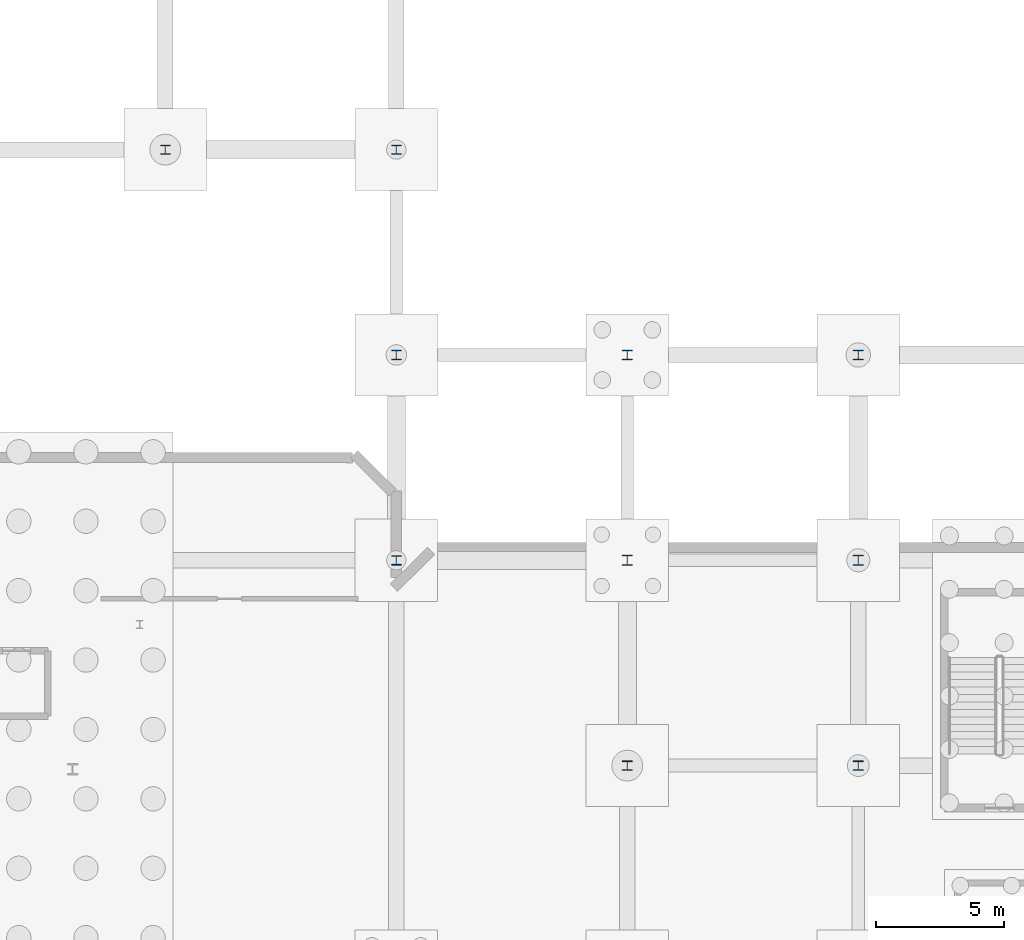
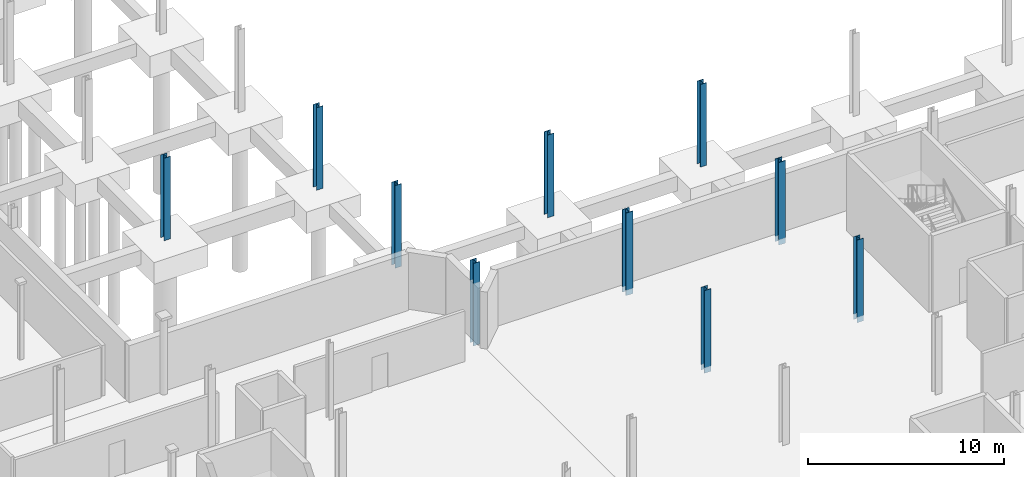
# One storey, part 19 of 37: 10 columns.
"""IFC4 building model written with IfcOpenShell, lengths in metres."""

from ifc_helpers import new_model, si_unit, direction, frame, origin, origin_2d, place, context, subcontext, project, spatial, i_section, extrude, material, material_profile, profile_set, type_object, element, save


model = new_model("IFC4")

# Units and contexts
model_context = context("Model", 3, precision=1e-05, world=origin(), true_north=direction((0.0, 1.0)))
body_context = subcontext(model_context, "Body", "Model", "MODEL_VIEW")
ifc_project = project(units=[si_unit("LENGTHUNIT", "METRE"), si_unit("AREAUNIT", "SQUARE_METRE"), si_unit("VOLUMEUNIT", "CUBIC_METRE"), si_unit("PLANEANGLEUNIT", "RADIAN"), si_unit("MASSUNIT", "GRAM", prefix="KILO"), si_unit("THERMODYNAMICTEMPERATUREUNIT", "KELVIN"), si_unit("POWERUNIT", "WATT")], contexts=[model_context])

# Site, building, storey
site_placement = place(None, origin())
site = spatial("IfcSite", under=ifc_project, at=site_placement, CompositionType="ELEMENT")
building_placement = place(site_placement, origin())
building = spatial("IfcBuilding", under=site, at=building_placement, Name="Zelmaris Science Centre", CompositionType="ELEMENT")
storey_placement = place(building_placement, frame((0.0, 0.0, -4.800048828125)))
storey = spatial("IfcBuildingStorey", under=building, at=storey_placement, Name="B1", CompositionType="ELEMENT", Elevation=-4.800048828125)

# Columns
ifc_material = material(Name="Steel ASTM A992 Grade 50", Category="steel")
ifc_material_profile_1 = material_profile(ifc_material, i_section(OverallWidth=0.40087890625, OverallDepth=0.39892578125, WebThickness=0.02490234375, FlangeThickness=0.03955078125, FilletRadius=0.014892578125, at=origin_2d()), Name="W14X211")
ifc_profile_set_1 = profile_set([ifc_material_profile_1], Name="Steel ASTM A992 Grade 50")
column_type_1 = type_object("IfcColumnType", Name="Column C-03 W14X211", PredefinedType="COLUMN", material=ifc_profile_set_1)
for number, where, z_axis, x_axis, name in (
    (1, (117.0, 48.0, -0.349853515625), (0.0, 0.0, 1.0), (1.0, 0.0, 0.0), "Column V4-C-117-48 B1"),
    (2, (126.0, 48.0, -0.349853515625), (0.0, 0.0, 1.0), (1.0, 0.0, 0.0), "Column V4-C-126-48 B1"),
):
    element("IfcColumn", number, at=place(storey_placement, frame(where, z_axis=z_axis, x_axis=x_axis)), inside=storey, type_object=column_type_1, Name=name, PredefinedType="COLUMN", context=body_context, shape_type="SweptSolid", body=[
        extrude(i_section(OverallWidth=0.40087890625, OverallDepth=0.39892578125, WebThickness=0.02490234375, FlangeThickness=0.03955078125, FilletRadius=0.014892578125, at=origin_2d()), origin(), (0.0, 0.0, 1.0), 5.14990234375),
    ])
ifc_material_profile_2 = material_profile(ifc_material, i_section(OverallWidth=0.373046875, OverallDepth=0.367919921875, WebThickness=0.014892578125, FlangeThickness=0.02392578125, FilletRadius=0.014892578125, at=origin_2d()), Name="W14X120")
ifc_profile_set_2 = profile_set([ifc_material_profile_2], Name="Steel ASTM A992 Grade 50")
column_type_2 = type_object("IfcColumnType", Name="Column C-06 W14X120", PredefinedType="COLUMN", material=ifc_profile_set_2)
for number, where, z_axis, x_axis, name in (
    (3, (108.0, 48.0, -0.349853515625), (0.0, 0.0, 1.0), (1.0, 0.0, 0.0), "Column V4-C-108-48 B1"),
    (4, (108.0, 56.0, -0.349853515625), (0.0, 0.0, 1.0), (1.0, 0.0, 0.0), "Column V4-C-108-56 B1"),
    (5, (117.0, 40.0, -0.349853515625), (0.0, 0.0, 1.0), (1.0, 0.0, 0.0), "Column V4-C-117-40 B1"),
    (6, (117.0, 56.0, -0.349853515625), (0.0, 0.0, 1.0), (1.0, 0.0, 0.0), "Column V4-C-117-56 B1"),
    (7, (126.0, 40.0, -0.349853515625), (0.0, 0.0, 1.0), (1.0, 0.0, 0.0), "Column V4-C-126-40 B1"),
    (8, (126.0, 56.0, -0.349853515625), (0.0, 0.0, 1.0), (1.0, 0.0, 0.0), "Column V4-C-126-56 B1"),
):
    element("IfcColumn", number, at=place(storey_placement, frame(where, z_axis=z_axis, x_axis=x_axis)), inside=storey, type_object=column_type_2, Name=name, PredefinedType="COLUMN", context=body_context, shape_type="SweptSolid", body=[
        extrude(i_section(OverallWidth=0.373046875, OverallDepth=0.367919921875, WebThickness=0.014892578125, FlangeThickness=0.02392578125, FilletRadius=0.014892578125, at=origin_2d()), origin(), (0.0, 0.0, 1.0), 5.14990234375),
    ])
ifc_material_profile_3 = material_profile(ifc_material, i_section(OverallWidth=0.367919921875, OverallDepth=0.35595703125, WebThickness=0.01123046875, FlangeThickness=0.01806640625, FilletRadius=0.014892578125, at=origin_2d()), Name="W14X90")
ifc_profile_set_3 = profile_set([ifc_material_profile_3], Name="Steel ASTM A992 Grade 50")
column_type_3 = type_object("IfcColumnType", Name="Column C-07 W14X90", PredefinedType="COLUMN", material=ifc_profile_set_3)
for number, where, z_axis, x_axis, name in (
    (9, (99.0, 64.0, -0.349853515625), (0.0, 0.0, 1.0), (1.0, 0.0, 0.0), "Column V5-C-99-64 B1"),
    (10, (108.0, 64.0, -0.349853515625), (0.0, 0.0, 1.0), (1.0, 0.0, 0.0), "Column V5-C-108-64 B1"),
):
    element("IfcColumn", number, at=place(storey_placement, frame(where, z_axis=z_axis, x_axis=x_axis)), inside=storey, type_object=column_type_3, Name=name, PredefinedType="COLUMN", context=body_context, shape_type="SweptSolid", body=[
        extrude(i_section(OverallWidth=0.367919921875, OverallDepth=0.35595703125, WebThickness=0.01123046875, FlangeThickness=0.01806640625, FilletRadius=0.014892578125, at=origin_2d()), origin(), (0.0, 0.0, 1.0), 5.14990234375),
    ])

save(model, "model.ifc")
